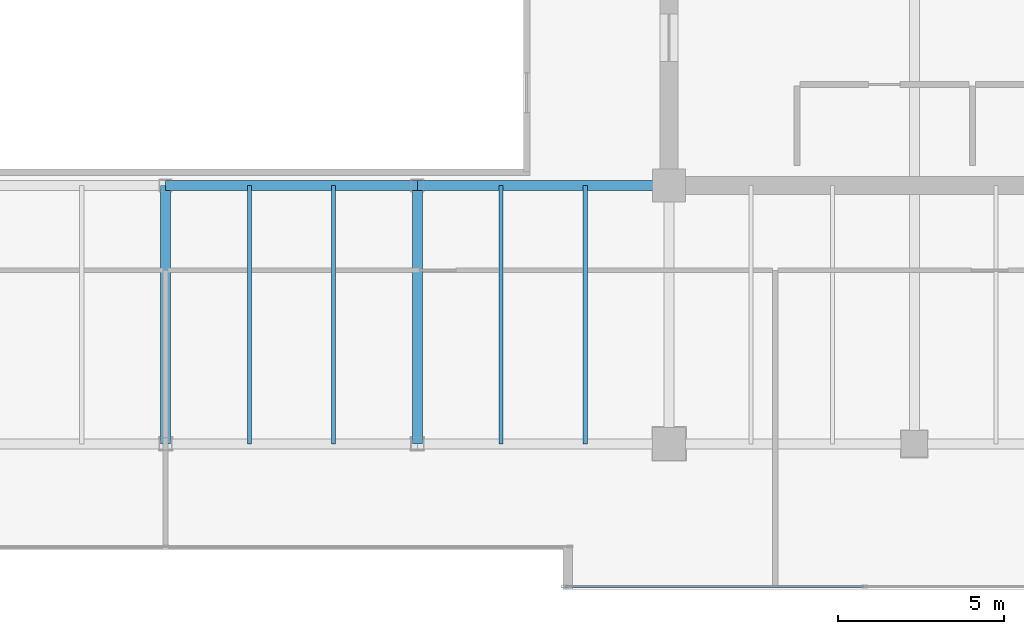
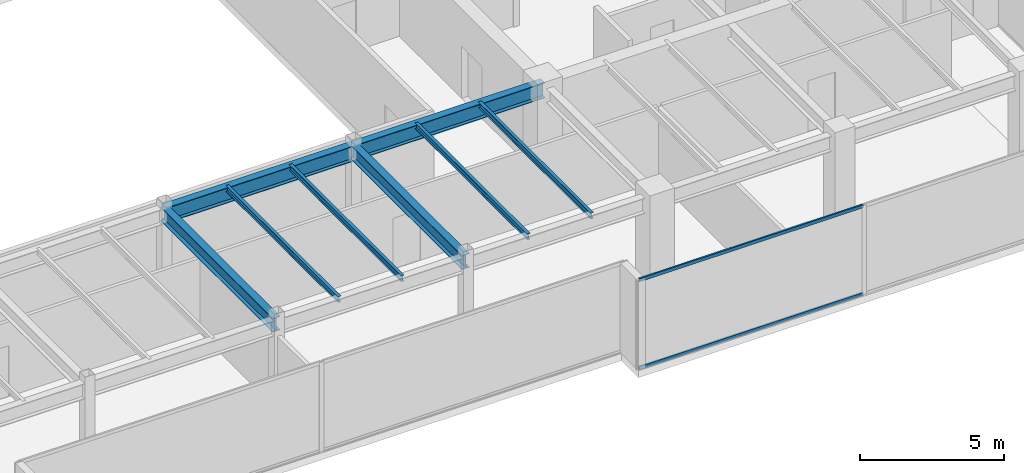
# One storey, part 12 of 36: 8 beams, 2 members, 1 element without a shape of its own.
"""IFC4 building model written with IfcOpenShell, lengths in metres."""

from ifc_helpers import new_model, si_unit, direction, frame, origin, origin_2d, place, context, subcontext, project, spatial, hollow_rectangle, i_section, extrude, source, transform, mapped, material, layer, layer_set, material_profile, profile_set, type_object, type_shapes, element, aggregate, save


model = new_model("IFC4")

# Units and contexts
model_context = context("Model", 3, precision=1e-05, world=origin(), true_north=direction((0.0, 1.0)))
body_context = subcontext(model_context, "Body", "Model", "MODEL_VIEW")
ifc_project = project(units=[si_unit("LENGTHUNIT", "METRE"), si_unit("AREAUNIT", "SQUARE_METRE"), si_unit("VOLUMEUNIT", "CUBIC_METRE"), si_unit("PLANEANGLEUNIT", "RADIAN"), si_unit("MASSUNIT", "GRAM", prefix="KILO")], contexts=[model_context])

# Site, building, storey
site_placement = place(None, origin())
site = spatial("IfcSite", under=ifc_project, at=site_placement, CompositionType="ELEMENT")
building_placement = place(site_placement, origin())
building = spatial("IfcBuilding", under=site, at=building_placement, Name="Haelvirn Gate Laboratories", CompositionType="ELEMENT")
storey_placement = place(building_placement, frame((0.0, 0.0, 254.699951171875)))
storey = spatial("IfcBuildingStorey", under=building, at=storey_placement, Name="L61", CompositionType="ELEMENT", Elevation=254.699951171875)

# Beams
ifc_material_1 = material(Name="Steel SM355", Category="steel")
ifc_material_profile_1 = material_profile(ifc_material_1, i_section(OverallWidth=0.300048828125, OverallDepth=0.587890625, WebThickness=0.011962890625, FlangeThickness=0.02001953125, at=origin_2d()), Name="H-588x300x12x20")
ifc_profile_set_1 = profile_set([ifc_material_profile_1], Name="Steel SM355")
beam_type_1 = type_object("IfcBeamType", Name="BM-G-588", PredefinedType="BEAM", material=ifc_profile_set_1)
shared_shape_1 = source(origin(), body_context, "Body", "SweptSolid", [
    extrude(i_section(OverallWidth=0.300048828125, OverallDepth=0.587890625, WebThickness=0.011962890625, FlangeThickness=0.02001953125, at=origin_2d()), origin(), (0.0, 0.0, 1.0), 7.800048828125),
])
type_shapes(beam_type_1, [shared_shape_1])
for number, where, z_axis, x_axis, name in (
    (1, (37.39990234375, 7.0, 3.506103515625), (0.0, 1.0, 0.0), (-1.0, 0.0, 0.0), "L61 Frame Girder X37.4 (7.0-14.8)"),
    (2, (45.0, 7.0, 3.506103515625), (0.0, 1.0, 0.0), (-1.0, 0.0, 0.0), "L61 Frame Girder X45.0 (7.0-14.8)"),
):
    element("IfcBeam", number, at=place(storey_placement, frame(where, z_axis=z_axis, x_axis=x_axis)), inside=storey, type_object=beam_type_1, Name=name, PredefinedType="BEAM", context=body_context, shape_type="MappedRepresentation", body=[
        mapped(shared_shape_1, transform((0.0, 0.0, 0.0), scale=1.0)),
    ])
ifc_material_profile_2 = material_profile(ifc_material_1, i_section(OverallWidth=0.300048828125, OverallDepth=0.64990234375, WebThickness=0.012939453125, FlangeThickness=0.02197265625, at=origin_2d()), Name="H-650x300x13x22")
ifc_profile_set_2 = profile_set([ifc_material_profile_2], Name="Steel SM355")
beam_type_2 = type_object("IfcBeamType", Name="BM-G-650", PredefinedType="BEAM", material=ifc_profile_set_2)
shared_shape_2 = source(origin(), body_context, "Body", "SweptSolid", [
    extrude(i_section(OverallWidth=0.300048828125, OverallDepth=0.64990234375, WebThickness=0.012939453125, FlangeThickness=0.02197265625, at=origin_2d()), origin(), (0.0, 0.0, 1.0), 7.60009765625),
])
type_shapes(beam_type_2, [shared_shape_2])
for number, where, z_axis, x_axis, name in (
    (3, (37.39990234375, 14.800048828125, 3.47509765625), (1.0, 0.0, 0.0), (0.0, 1.0, 0.0), "L61 Primary Girder Y14.8 (37.4-45.0)"),
    (4, (45.0, 14.800048828125, 3.47509765625), (1.0, 0.0, 0.0), (0.0, 1.0, 0.0), "L61 Primary Girder Y14.8 (45.0-52.6)"),
):
    element("IfcBeam", number, at=place(storey_placement, frame(where, z_axis=z_axis, x_axis=x_axis)), inside=storey, type_object=beam_type_2, Name=name, PredefinedType="BEAM", context=body_context, shape_type="MappedRepresentation", body=[
        mapped(shared_shape_2, transform((0.0, 0.0, 0.0), scale=1.0)),
    ])
ifc_material_profile_3 = material_profile(ifc_material_1, i_section(OverallWidth=0.125, OverallDepth=0.25, WebThickness=0.006103515625, FlangeThickness=0.009033203125, at=origin_2d()), Name="H-250x125x6x9")
ifc_profile_set_3 = profile_set([ifc_material_profile_3], Name="Steel SM355")
beam_type_3 = type_object("IfcBeamType", Name="BM-J-250", PredefinedType="JOIST", material=ifc_profile_set_3)
shared_shape_3 = source(origin(), body_context, "Body", "SweptSolid", [
    extrude(i_section(OverallWidth=0.125, OverallDepth=0.25, WebThickness=0.006103515625, FlangeThickness=0.009033203125, at=origin_2d()), origin(), (0.0, 0.0, 1.0), 7.800048828125),
])
type_shapes(beam_type_3, [shared_shape_3])
for number, where, z_axis, x_axis, name in (
    (5, (39.929931640625, 7.0, 3.675048828125), (0.0, 1.0, 0.0), (-1.0, 0.0, 0.0), "L61 Composite Lab Joist South X39.93"),
    (6, (42.469970703125, 7.0, 3.675048828125), (0.0, 1.0, 0.0), (-1.0, 0.0, 0.0), "L61 Composite Lab Joist South X42.47"),
    (7, (47.530029296875, 7.0, 3.675048828125), (0.0, 1.0, 0.0), (-1.0, 0.0, 0.0), "L61 Composite Lab Joist South X47.53"),
    (8, (50.070068359375, 7.0, 3.675048828125), (0.0, 1.0, 0.0), (-1.0, 0.0, 0.0), "L61 Composite Lab Joist South X50.07"),
):
    element("IfcBeam", number, at=place(storey_placement, frame(where, z_axis=z_axis, x_axis=x_axis)), inside=storey, type_object=beam_type_3, Name=name, PredefinedType="JOIST", context=body_context, shape_type="MappedRepresentation", body=[
        mapped(shared_shape_3, transform((0.0, 0.0, 0.0), scale=1.0)),
    ])

# Curtain wall, members
ifc_material_2 = material(Name="Anodised bronze unitised aluminium & triple low-E glass", Category="aluminium")
ifc_layer = layer(ifc_material_2, 0.176025390625, Name="CW-SYS-4")
ifc_layer_set = layer_set([ifc_layer], Name="Anodised bronze unitised aluminium & triple low-E glass")
curtain_wall_type = type_object("IfcCurtainWallType", Name="CW-SYS-4", PredefinedType="NOTDEFINED", material=ifc_layer_set)
curtain_wall_placement = place(storey_placement, origin())
curtain_wall = element("IfcCurtainWall", 9, at=curtain_wall_placement, inside=storey, type_object=curtain_wall_type, Name="L61 Unitised Curtain Wall CW-L61-P0-E04-1", PredefinedType="NOTDEFINED")
ifc_material_3 = material(Name="Extruded aluminium 6063-T6 (anodised bronze)", Category="aluminium")
ifc_material_profile_4 = material_profile(ifc_material_3, hollow_rectangle(XDim=0.06494140625, YDim=0.139892578125, WallThickness=0.00390625, at=origin_2d()), Name="CWT-140x65x4")
ifc_profile_set_4 = profile_set([ifc_material_profile_4], Name="Extruded aluminium 6063-T6 (anodised bronze)")
member_type = type_object("IfcMemberType", Name="CWT-T140", PredefinedType="USERDEFINED", material=ifc_profile_set_4)
shared_shape_4 = source(origin(), body_context, "Body", "SweptSolid", [
    extrude(hollow_rectangle(XDim=0.06494140625, YDim=0.139892578125, WallThickness=0.00390625, at=origin_2d()), origin(), (0.0, 0.0, 1.0), 8.9951171875),
])
type_shapes(member_type, [shared_shape_4])
member_1_placement = place(storey_placement, frame((49.469970703125, 2.699951171875, 0.032470703125), z_axis=(1.0, 0.0, 0.0), x_axis=(0.0, 1.0, 0.0)))
member_1 = element("IfcMember", 10, at=member_1_placement, type_object=member_type, Name="CW4 transom 1.1", ObjectType="TRANSOM", PredefinedType="USERDEFINED", context=body_context, shape_type="MappedRepresentation", body=[
    mapped(shared_shape_4, transform((0.0, 0.0, 0.0), scale=1.0)),
])
member_2_placement = place(storey_placement, frame((49.469970703125, 2.699951171875, 3.767578125), z_axis=(1.0, 0.0, 0.0), x_axis=(0.0, 1.0, 0.0)))
member_2 = element("IfcMember", 11, at=member_2_placement, type_object=member_type, Name="CW4 transom 1.2", ObjectType="TRANSOM", PredefinedType="USERDEFINED", context=body_context, shape_type="MappedRepresentation", body=[
    mapped(shared_shape_4, transform((0.0, 0.0, 0.0), scale=1.0)),
])
aggregate(curtain_wall, [member_1, member_2])

save(model, "model.ifc")
